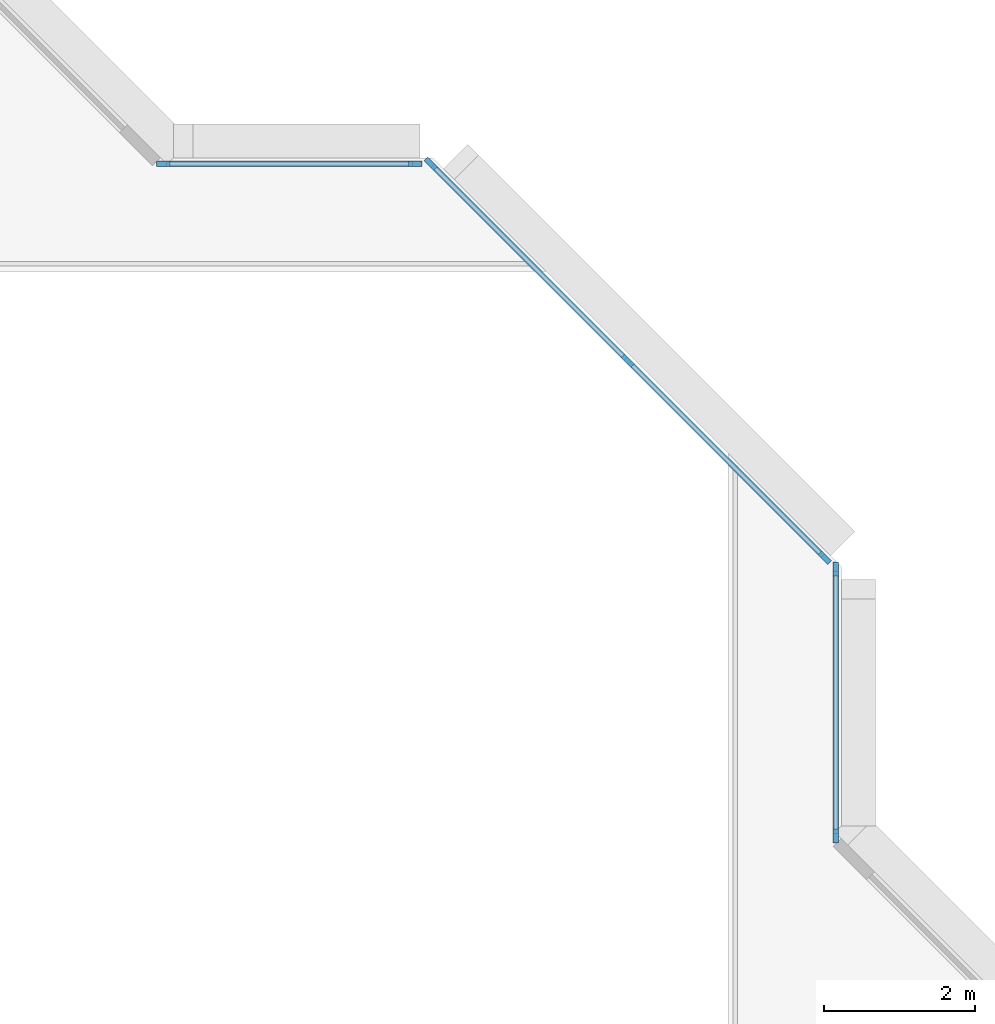
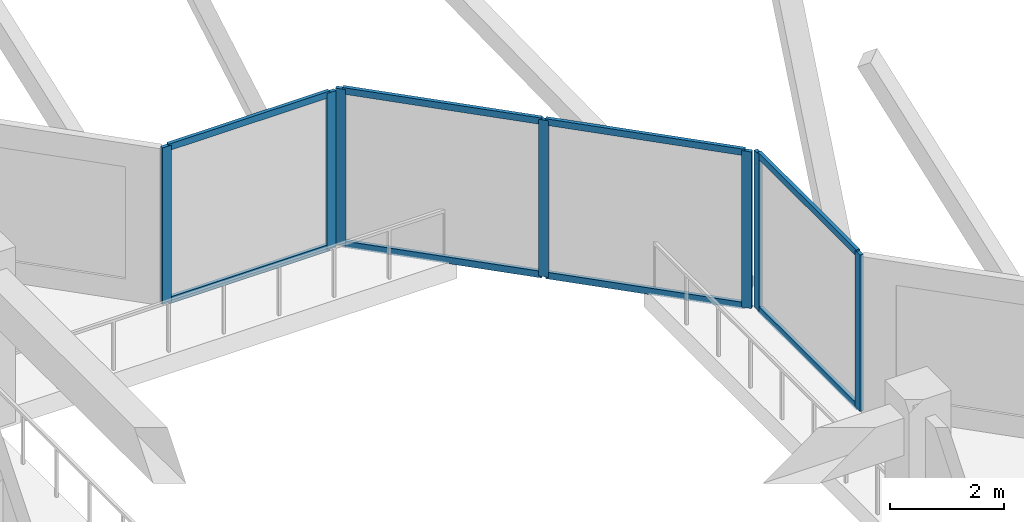
# One storey, part 2 of 14: 15 members, 3 elements without a shape of their own.
"""IFC4 building model written with IfcOpenShell, lengths in metres."""

import ifcopenshell
import ifcopenshell.guid

model = None  # the IFC model being written
_history = None  # IfcOwnerHistory: only IFC2X3 demands one
_inside = {}  # id of a spatial element -> (the spatial element, [elements in it])
_under = {}  # id of a project, library or spatial element -> (it, [spatial elements below it])
_declared = {}  # id of a project -> (the project, [libraries it declares])
_typed = {}  # id of a type object -> (the type object, [elements of that type])
_made_of = {}  # id of a material, layer set ... -> (it, [elements and type objects made of it])


def new_model(schema):
    """Start an empty IFC model of exactly this schema.

    Asked for "IFC4X3", IfcOpenShell would pick the latest addendum, in which some entities
    have other attributes; the version numbers below select the first issue.
    IFC2X3 requires an IfcOwnerHistory on every rooted entity: one is made here for all.
    """
    global model, _history
    if schema == "IFC4X3":
        model = ifcopenshell.file(schema_version=(4, 3, 0, 0))
    else:
        model = ifcopenshell.file(schema=schema)
    _inside.clear()
    _under.clear()
    _declared.clear()
    _typed.clear()
    _made_of.clear()
    _history = None
    if model.schema == "IFC2X3":
        org = make("IfcOrganization", Name="unknown")
        user = make(
            "IfcPersonAndOrganization",
            ThePerson=make("IfcPerson", FamilyName="unknown"),
            TheOrganization=org,
        )
        app = make(
            "IfcApplication",
            ApplicationDeveloper=org,
            Version="unknown",
            ApplicationFullName="unknown",
            ApplicationIdentifier="unknown",
        )
        _history = make(
            "IfcOwnerHistory",
            OwningUser=user,
            OwningApplication=app,
            ChangeAction="ADDED",
            CreationDate=0,
        )
    return model


def make(cls, **values):
    """One entity of the class cls with the attributes given. An attribute that is None is left unset."""
    return model.create_entity(
        cls, **{name: value for name, value in values.items() if value is not None}
    )


def rooted(cls, **values):
    """An entity with a GlobalId (a new one), such as an element, a storey or a relation."""
    return make(cls, GlobalId=ifcopenshell.guid.new(), OwnerHistory=_history, **values)


def si_unit(unit_type, name, prefix=None):
    """IfcSIUnit, for example si_unit("LENGTHUNIT", "METRE", prefix="MILLI")."""
    return make("IfcSIUnit", UnitType=unit_type, Prefix=prefix, Name=name)


def assignment(units):
    """IfcUnitAssignment: the units of a project."""
    return None if units is None else make("IfcUnitAssignment", Units=units)


def point(xyz):
    """IfcCartesianPoint."""
    return None if xyz is None else make("IfcCartesianPoint", Coordinates=xyz)


def direction(xyz):
    """IfcDirection."""
    return None if xyz is None else make("IfcDirection", DirectionRatios=xyz)


def frame(location, z_axis=None, x_axis=None):
    """IfcAxis2Placement3D, a coordinate frame: its origin and axes. An axis left out is left unset."""
    return make(
        "IfcAxis2Placement3D",
        Location=point(location),
        Axis=direction(z_axis),
        RefDirection=direction(x_axis),
    )


def frame_2d(location, x_axis=None):
    """IfcAxis2Placement2D, a coordinate frame in the plane: its origin and x axis."""
    return make(
        "IfcAxis2Placement2D", Location=point(location), RefDirection=direction(x_axis)
    )


def origin():
    """The frame at (0, 0, 0) with its axes left unset."""
    return frame((0.0, 0.0, 0.0))


def origin_2d():
    """The frame at (0, 0) in the plane with its x axis left unset."""
    return frame_2d((0.0, 0.0))


def place(relative_to, where):
    """IfcLocalPlacement: puts the frame where relative to a parent placement (None: the world)."""
    return make(
        "IfcLocalPlacement", PlacementRelTo=relative_to, RelativePlacement=where
    )


def context(
    kind, dimensions, precision=None, world=None, true_north=None, identifier=None
):
    """IfcGeometricRepresentationContext, for example the 3D "Model" context."""
    return make(
        "IfcGeometricRepresentationContext",
        ContextIdentifier=identifier,
        ContextType=kind,
        CoordinateSpaceDimension=dimensions,
        Precision=precision,
        WorldCoordinateSystem=world,
        TrueNorth=true_north,
    )


def subcontext(parent, identifier, kind, view, scale=None):
    """IfcGeometricRepresentationSubContext, for example "Body" below "Model"."""
    return make(
        "IfcGeometricRepresentationSubContext",
        ContextIdentifier=identifier,
        ContextType=kind,
        ParentContext=parent,
        TargetScale=scale,
        TargetView=view,
    )


def project(units=None, contexts=None):
    """IfcProject with its units and contexts."""
    return rooted(
        "IfcProject",
        Name="project",
        RepresentationContexts=contexts,
        UnitsInContext=assignment(units),
    )


def spatial(cls, under=None, at=None, **own):
    """A site, building, storey or space (cls), placed at a placement, below another one or the project."""
    s = rooted(cls, ObjectPlacement=at, **own)
    if under is not None:
        _under.setdefault(under.id(), (under, []))[1].append(s)
    return s


def profile(cls, at=None, kind="AREA", **sizes):
    """A parametric profile (cls). Its sizes go by their IFC names, for example OverallWidth=200.0."""
    return make(cls, ProfileType=kind, Position=at, **sizes)


def rectangle(**sizes):
    """IfcRectangleProfileDef."""
    return profile("IfcRectangleProfileDef", **sizes)


def extrude(swept, where, along, depth):
    """IfcExtrudedAreaSolid: the profile swept, set in the frame where, extruded along a direction by depth."""
    return make(
        "IfcExtrudedAreaSolid",
        SweptArea=swept,
        Position=where,
        ExtrudedDirection=direction(along),
        Depth=depth,
    )


def shape(context_of_items, identifier, shape_type, items):
    """IfcShapeRepresentation: the items that make up one representation, for example the "Body"."""
    return make(
        "IfcShapeRepresentation",
        ContextOfItems=context_of_items,
        RepresentationIdentifier=identifier,
        RepresentationType=shape_type,
        Items=items,
    )


def material(Name=None, Category=None):
    """IfcMaterial."""
    return make("IfcMaterial", Name=Name, Category=Category)


def layer(
    of_material, thickness, ventilated=None, Name=None, Category=None, Priority=None
):
    """IfcMaterialLayer: one layer of a wall or slab, of a material (None: an air gap)."""
    return make(
        "IfcMaterialLayer",
        Material=of_material,
        LayerThickness=thickness,
        IsVentilated=ventilated,
        Name=Name,
        Category=Category,
        Priority=Priority,
    )


def layer_set(layers, Name=None):
    """IfcMaterialLayerSet."""
    return make("IfcMaterialLayerSet", MaterialLayers=layers, LayerSetName=Name)


def material_profile(
    of_material, cross_section, Name=None, Category=None, Priority=None
):
    """IfcMaterialProfile: a cross section and its material."""
    return make(
        "IfcMaterialProfile",
        Name=Name,
        Material=of_material,
        Profile=cross_section,
        Priority=Priority,
        Category=Category,
    )


def profile_set(profiles, Name=None, composite=None):
    """IfcMaterialProfileSet."""
    return make(
        "IfcMaterialProfileSet",
        Name=Name,
        MaterialProfiles=profiles,
        CompositeProfile=composite,
    )


def made_of(thing, what):
    """Note that an element or type object is made of a material, layer set ...; save() writes the relation."""
    if what is not None:
        _made_of.setdefault(what.id(), (what, []))[1].append(thing)
    return thing


def type_object(cls, material=None, **own):
    """A type object (cls), such as IfcWallType, which elements share."""
    return made_of(rooted(cls, **own), material)


def element(
    cls,
    number,
    at=None,
    inside=None,
    cuts=None,
    type_object=None,
    material=None,
    context=None,
    identifier="Body",
    shape_type=None,
    held_by="IfcProductDefinitionShape",
    body=None,
    shapes=None,
    **own,
):
    """One element of the class cls, such as IfcWall. Its Tag is "e" and its number.

    at: its placement. inside: the storey or other place that contains it. cuts: it is an
    opening in that element (IfcRelVoidsElement). A single representation is given by context,
    identifier, shape_type and body (its items); several are given by shapes. held_by: the class
    of the entity that holds the representations. save() writes the other relations.
    """
    e = rooted(cls, Tag="e%d" % number, ObjectPlacement=at, **own)
    if body is not None:
        shapes = [shape(context, identifier, shape_type, body)]
    if shapes is not None:
        e.Representation = make(held_by, Representations=shapes)
    if inside is not None:
        _inside.setdefault(inside.id(), (inside, []))[1].append(e)
    if cuts is not None:
        rooted(
            "IfcRelVoidsElement", RelatingBuildingElement=cuts, RelatedOpeningElement=e
        )
    if type_object is not None:
        _typed.setdefault(type_object.id(), (type_object, []))[1].append(e)
    return made_of(e, material)


def aggregate(whole, parts):
    """IfcRelAggregates: a whole, such as a stair, and the parts it consists of."""
    return rooted("IfcRelAggregates", RelatingObject=whole, RelatedObjects=parts)


def save(model, path):
    """Write the relations noted so far, then the file.

    IfcRelAggregates (storeys below a building ...), IfcRelContainedInSpatialStructure (elements
    in a storey), IfcRelDefinesByType, IfcRelAssociatesMaterial and IfcRelDeclares: one each for
    every whole, place, type object, material and project.
    """
    for whole, parts in _under.values():
        aggregate(whole, parts)
    for where, things in _inside.values():
        rooted(
            "IfcRelContainedInSpatialStructure",
            RelatedElements=things,
            RelatingStructure=where,
        )
    for kind, things in _typed.values():
        rooted("IfcRelDefinesByType", RelatedObjects=things, RelatingType=kind)
    for what, things in _made_of.values():
        rooted("IfcRelAssociatesMaterial", RelatedObjects=things, RelatingMaterial=what)
    for by, libraries in _declared.values():
        rooted("IfcRelDeclares", RelatingContext=by, RelatedDefinitions=libraries)
    model.write(path)


model = new_model("IFC4")

# Units and contexts
model_context = context("Model", 3, precision=1e-05, world=origin(), true_north=direction((0.0, 1.0)))
body_context = subcontext(model_context, "Body", "Model", "MODEL_VIEW")
ifc_project = project(units=[si_unit("LENGTHUNIT", "METRE"), si_unit("AREAUNIT", "SQUARE_METRE"), si_unit("VOLUMEUNIT", "CUBIC_METRE"), si_unit("PLANEANGLEUNIT", "RADIAN"), si_unit("MASSUNIT", "GRAM", prefix="KILO")], contexts=[model_context])

# Site, building, storey
site_placement = place(None, origin())
site = spatial("IfcSite", under=ifc_project, at=site_placement, CompositionType="ELEMENT")
building_placement = place(site_placement, origin())
building = spatial("IfcBuilding", under=site, at=building_placement, Name="Chenar Terraces", CompositionType="ELEMENT")
storey_placement = place(building_placement, frame((0.0, 0.0, 226.64990234375)))
storey = spatial("IfcBuildingStorey", under=building, at=storey_placement, Name="L53", CompositionType="ELEMENT", Elevation=226.64990234375)

# Curtain wall, members
ifc_material_1 = material(Name="Aluminium framed glazing", Category="aluminium")
ifc_layer = layer(ifc_material_1, 0.14990234375)
ifc_layer_set = layer_set([ifc_layer], Name="Aluminium framed glazing")
curtain_wall_type = type_object("IfcCurtainWallType", Name="Atrium mid-zone curtain wall", PredefinedType="NOTDEFINED", material=ifc_layer_set)
placement = place(storey_placement, origin())
curtain_wall_1 = element("IfcCurtainWall", 1, at=placement, inside=storey, type_object=curtain_wall_type, Name="Atrium mid-zone curtain wall", PredefinedType="NOTDEFINED")
ifc_material_2 = material(Name="Aluminium", Category="aluminium")
ifc_material_profile_1 = material_profile(ifc_material_2, rectangle(XDim=0.070068359375, YDim=0.179931640625, at=origin_2d()), Name="Atrium mid-zone glazing mullion 70 x 180")
ifc_profile_set_1 = profile_set([ifc_material_profile_1], Name="Aluminium")
member_type_1 = type_object("IfcMemberType", Name="Atrium mid-zone glazing mullion 70 x 180", PredefinedType="MULLION", material=ifc_profile_set_1)
member_1_placement = place(storey_placement, frame((37.425048828125, 28.534912109375, 0.0), z_axis=(0.0, 0.0, 1.0), x_axis=(-1.0, 0.0, 0.0)))
member_1 = element("IfcMember", 2, at=member_1_placement, type_object=member_type_1, Name="CW7-1 mullion 1", PredefinedType="MULLION", context=body_context, shape_type="SweptSolid", body=[
    extrude(rectangle(XDim=0.070068359375, YDim=0.179931640625, at=origin_2d()), origin(), (0.0, 0.0, 1.0), 3.35009765625),
])
member_2_placement = place(storey_placement, frame((37.425048828125, 32.06494140625, 0.0), z_axis=(0.0, 0.0, 1.0), x_axis=(-1.0, 0.0, 0.0)))
member_2 = element("IfcMember", 3, at=member_2_placement, type_object=member_type_1, Name="CW7-1 mullion 2", PredefinedType="MULLION", context=body_context, shape_type="SweptSolid", body=[
    extrude(rectangle(XDim=0.070068359375, YDim=0.179931640625, at=origin_2d()), origin(), (0.0, 0.0, 1.0), 3.35009765625),
])

curtain_wall_2 = element("IfcCurtainWall", 4, at=placement, inside=storey, type_object=curtain_wall_type, Name="Atrium mid-zone curtain wall", PredefinedType="NOTDEFINED")
member_3_placement = place(storey_placement, frame((37.28076171875, 32.213134765625, 0.0), z_axis=(0.0, 0.0, 1.0), x_axis=(-0.707106781187, -0.707106781187, 0.0)))
member_3 = element("IfcMember", 5, at=member_3_placement, type_object=member_type_1, Name="CW7-2 mullion 1", PredefinedType="MULLION", context=body_context, shape_type="SweptSolid", body=[
    extrude(rectangle(XDim=0.070068359375, YDim=0.179931640625, at=origin_2d()), origin(), (0.0, 0.0, 1.0), 3.35009765625),
])
member_4_placement = place(storey_placement, frame((34.67626953125, 34.817626953125, 0.0), z_axis=(0.0, 0.0, 1.0), x_axis=(-0.707106781187, -0.707106781187, 0.0)))
member_4 = element("IfcMember", 6, at=member_4_placement, type_object=member_type_1, Name="CW7-2 mullion 2", PredefinedType="MULLION", context=body_context, shape_type="SweptSolid", body=[
    extrude(rectangle(XDim=0.070068359375, YDim=0.179931640625, at=origin_2d()), origin(), (0.0, 0.0, 1.0), 3.35009765625),
])
member_5_placement = place(storey_placement, frame((32.07177734375, 37.42236328125, 0.0), z_axis=(0.0, 0.0, 1.0), x_axis=(-0.707106781187, -0.707106781187, 0.0)))
member_5 = element("IfcMember", 7, at=member_5_placement, type_object=member_type_1, Name="CW7-2 mullion 3", PredefinedType="MULLION", context=body_context, shape_type="SweptSolid", body=[
    extrude(rectangle(XDim=0.070068359375, YDim=0.179931640625, at=origin_2d()), origin(), (0.0, 0.0, 1.0), 3.35009765625),
])

curtain_wall_3 = element("IfcCurtainWall", 8, at=placement, inside=storey, type_object=curtain_wall_type, Name="Atrium mid-zone curtain wall", PredefinedType="NOTDEFINED")
member_6_placement = place(storey_placement, frame((31.864990234375, 37.425048828125, 0.0), z_axis=(0.0, 0.0, 1.0), x_axis=(0.0, -1.0, 0.0)))
member_6 = element("IfcMember", 9, at=member_6_placement, type_object=member_type_1, Name="CW7-3 mullion 1", PredefinedType="MULLION", context=body_context, shape_type="SweptSolid", body=[
    extrude(rectangle(XDim=0.070068359375, YDim=0.179931640625, at=origin_2d()), origin(), (0.0, 0.0, 1.0), 3.35009765625),
])
member_7_placement = place(storey_placement, frame((28.534912109375, 37.425048828125, 0.0), z_axis=(0.0, 0.0, 1.0), x_axis=(0.0, -1.0, 0.0)))
member_7 = element("IfcMember", 10, at=member_7_placement, type_object=member_type_1, Name="CW7-3 mullion 2", PredefinedType="MULLION", context=body_context, shape_type="SweptSolid", body=[
    extrude(rectangle(XDim=0.070068359375, YDim=0.179931640625, at=origin_2d()), origin(), (0.0, 0.0, 1.0), 3.35009765625),
])

# Member
ifc_material_3 = material(Name="Aluminium", Category="aluminium")
ifc_material_profile_2 = material_profile(ifc_material_3, rectangle(XDim=0.070068359375, YDim=0.139892578125, at=origin_2d()), Name="Atrium mid-zone glazing transom 70 x 140")
ifc_profile_set_2 = profile_set([ifc_material_profile_2], Name="Aluminium")
member_type_2 = type_object("IfcMemberType", Name="Atrium mid-zone glazing transom 70 x 140", PredefinedType="USERDEFINED", material=ifc_profile_set_2)
member_8_placement = place(storey_placement, frame((37.425048828125, 28.570068359375, 0.03515625), z_axis=(0.0, 1.0, 0.0), x_axis=(-1.0, 0.0, 0.0)))
member_8 = element("IfcMember", 11, at=member_8_placement, type_object=member_type_2, Name="CW7-1 transom 1.1", ObjectType="TRANSOM", PredefinedType="USERDEFINED", context=body_context, shape_type="SweptSolid", body=[
    extrude(rectangle(XDim=0.070068359375, YDim=0.139892578125, at=origin_2d()), origin(), (0.0, 0.0, 1.0), 3.4599609375),
])

member_9_placement = place(storey_placement, frame((37.425048828125, 28.570068359375, 3.315185546875), z_axis=(0.0, 1.0, 0.0), x_axis=(-1.0, 0.0, 0.0)))
member_9 = element("IfcMember", 12, at=member_9_placement, type_object=member_type_2, Name="CW7-1 transom 1.2", ObjectType="TRANSOM", PredefinedType="USERDEFINED", context=body_context, shape_type="SweptSolid", body=[
    extrude(rectangle(XDim=0.070068359375, YDim=0.139892578125, at=origin_2d()), origin(), (0.0, 0.0, 1.0), 3.4599609375),
])

aggregate(curtain_wall_1, [member_1, member_2, member_8, member_9])

member_10_placement = place(storey_placement, frame((37.256103515625, 32.23779296875, 0.03515625), z_axis=(-0.707106781187, 0.707106781187, 0.0), x_axis=(-0.707106781187, -0.707106781187, 0.0)))
member_10 = element("IfcMember", 13, at=member_10_placement, type_object=member_type_2, Name="CW7-2 transom 1.1", ObjectType="TRANSOM", PredefinedType="USERDEFINED", context=body_context, shape_type="SweptSolid", body=[
    extrude(rectangle(XDim=0.070068359375, YDim=0.139892578125, at=origin_2d()), origin(), (0.0, 0.0, 1.0), 3.613525390625),
])

member_11_placement = place(storey_placement, frame((37.256103515625, 32.23779296875, 3.315185546875), z_axis=(-0.707106781187, 0.707106781187, 0.0), x_axis=(-0.707106781187, -0.707106781187, 0.0)))
member_11 = element("IfcMember", 14, at=member_11_placement, type_object=member_type_2, Name="CW7-2 transom 1.2", ObjectType="TRANSOM", PredefinedType="USERDEFINED", context=body_context, shape_type="SweptSolid", body=[
    extrude(rectangle(XDim=0.070068359375, YDim=0.139892578125, at=origin_2d()), origin(), (0.0, 0.0, 1.0), 3.613525390625),
])

member_12_placement = place(storey_placement, frame((34.651611328125, 34.842529296875, 0.03515625), z_axis=(-0.707140563131, 0.707072997628, 0.0), x_axis=(-0.707072997628, -0.707140563131, 0.0)))
member_12 = element("IfcMember", 15, at=member_12_placement, type_object=member_type_2, Name="CW7-2 transom 2.1", ObjectType="TRANSOM", PredefinedType="USERDEFINED", context=body_context, shape_type="SweptSolid", body=[
    extrude(rectangle(XDim=0.070068359375, YDim=0.139892578125, at=origin_2d()), origin(), (0.0, 0.0, 1.0), 3.61328125),
])

member_13_placement = place(storey_placement, frame((34.651611328125, 34.842529296875, 3.315185546875), z_axis=(-0.707140563131, 0.707072997628, 0.0), x_axis=(-0.707072997628, -0.707140563131, 0.0)))
member_13 = element("IfcMember", 16, at=member_13_placement, type_object=member_type_2, Name="CW7-2 transom 2.2", ObjectType="TRANSOM", PredefinedType="USERDEFINED", context=body_context, shape_type="SweptSolid", body=[
    extrude(rectangle(XDim=0.070068359375, YDim=0.139892578125, at=origin_2d()), origin(), (0.0, 0.0, 1.0), 3.61328125),
])

aggregate(curtain_wall_2, [member_3, member_4, member_5, member_10, member_11, member_12, member_13])

member_14_placement = place(storey_placement, frame((31.830078125, 37.425048828125, 0.03515625), z_axis=(-1.0, 0.0, 0.0), x_axis=(0.0, -1.0, 0.0)))
member_14 = element("IfcMember", 17, at=member_14_placement, type_object=member_type_2, Name="CW7-3 transom 1.1", ObjectType="TRANSOM", PredefinedType="USERDEFINED", context=body_context, shape_type="SweptSolid", body=[
    extrude(rectangle(XDim=0.070068359375, YDim=0.139892578125, at=origin_2d()), origin(), (0.0, 0.0, 1.0), 3.260009765625),
])

member_15_placement = place(storey_placement, frame((31.830078125, 37.425048828125, 3.315185546875), z_axis=(-1.0, 0.0, 0.0), x_axis=(0.0, -1.0, 0.0)))
member_15 = element("IfcMember", 18, at=member_15_placement, type_object=member_type_2, Name="CW7-3 transom 1.2", ObjectType="TRANSOM", PredefinedType="USERDEFINED", context=body_context, shape_type="SweptSolid", body=[
    extrude(rectangle(XDim=0.070068359375, YDim=0.139892578125, at=origin_2d()), origin(), (0.0, 0.0, 1.0), 3.260009765625),
])

aggregate(curtain_wall_3, [member_6, member_7, member_14, member_15])

save(model, "model.ifc")
